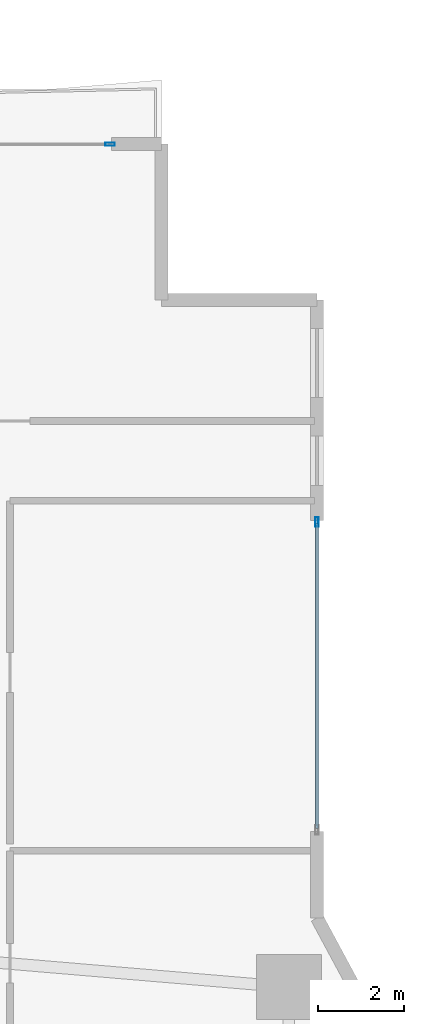
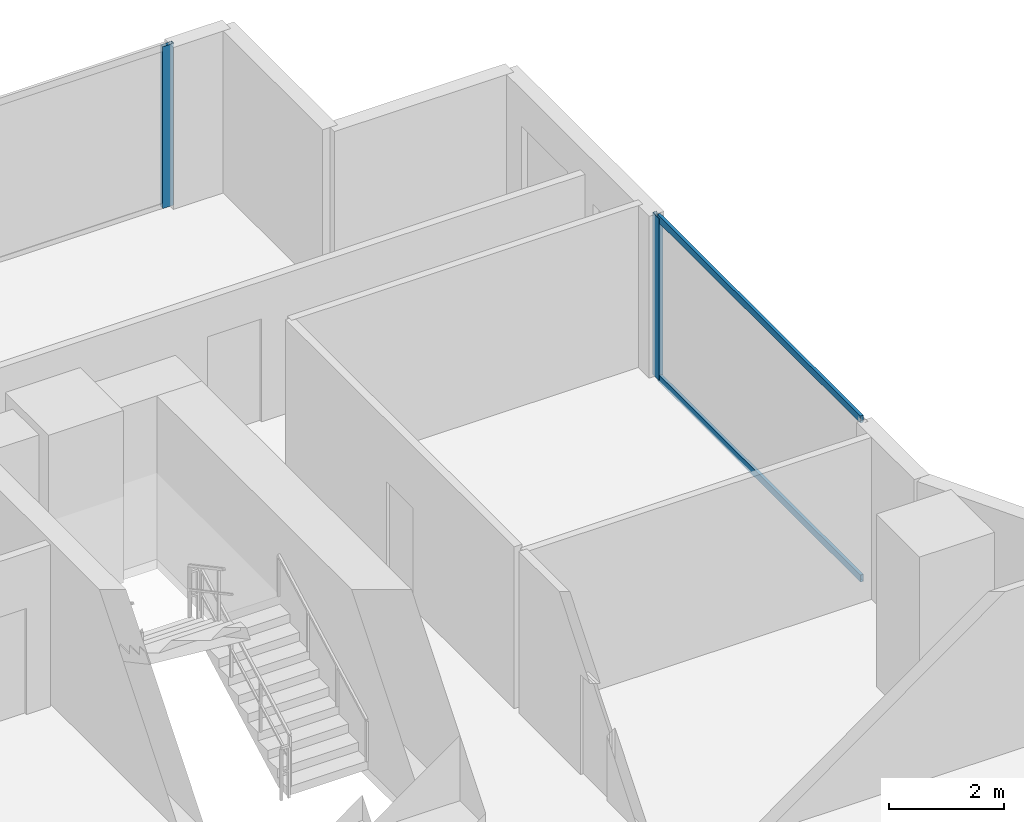
# One storey, part 17 of 28: 4 members, 2 elements without a shape of their own.
"""IFC4 building model written with IfcOpenShell, lengths in metres."""

from ifc_helpers import new_model, si_unit, direction, frame, origin, origin_2d, place, context, subcontext, project, spatial, hollow_rectangle, extrude, material, layer, layer_set, material_profile, profile_set, type_object, element, aggregate, save


model = new_model("IFC4")

# Units and contexts
model_context = context("Model", 3, precision=1e-05, world=origin(), true_north=direction((0.0, 1.0)))
body_context = subcontext(model_context, "Body", "Model", "MODEL_VIEW")
ifc_project = project(units=[si_unit("LENGTHUNIT", "METRE"), si_unit("AREAUNIT", "SQUARE_METRE"), si_unit("VOLUMEUNIT", "CUBIC_METRE"), si_unit("PLANEANGLEUNIT", "RADIAN"), si_unit("MASSUNIT", "GRAM", prefix="KILO")], contexts=[model_context])

# Site, building, storey
site_placement = place(None, origin())
site = spatial("IfcSite", under=ifc_project, at=site_placement, CompositionType="ELEMENT")
building_placement = place(site_placement, origin())
building = spatial("IfcBuilding", under=site, at=building_placement, Name="Zuhayl Quay Hotel", CompositionType="ELEMENT")
storey_placement = place(building_placement, frame((0.0, 0.0, 78.699951171875)))
storey = spatial("IfcBuildingStorey", under=building, at=storey_placement, Name="L19", CompositionType="ELEMENT", Elevation=78.699951171875)

# Curtain wall, member
ifc_material_1 = material(Name="Anodised Aluminium 6063-T6", Category="aluminium")
ifc_layer = layer(ifc_material_1, 0.18994140625, Name="Anodised Aluminium 6063-T6", Category="aluminium")
ifc_layer_set = layer_set([ifc_layer], Name="Anodised Aluminium 6063-T6")
curtain_wall_type = type_object("IfcCurtainWallType", Name="CW_SYS_Z1", PredefinedType="USERDEFINED", material=ifc_layer_set)
curtain_wall_1_placement = place(storey_placement, origin())
curtain_wall_1 = element("IfcCurtainWall", 1, at=curtain_wall_1_placement, inside=storey, type_object=curtain_wall_type, Name="L19 Curtain Wall ENV_L19_N_CW4", ObjectType="UNITISED CURTAIN WALL", PredefinedType="USERDEFINED")
ifc_material_2 = material(Name="Black-anodised aluminium 6063-T6", Category="aluminium")
ifc_material_profile_1 = material_profile(ifc_material_2, hollow_rectangle(XDim=0.074951171875, YDim=0.219970703125, WallThickness=0.00390625, at=origin_2d()), Name="ALU220X75")
ifc_profile_set_1 = profile_set([ifc_material_profile_1], Name="Black-anodised aluminium 6063-T6")
member_type_1 = type_object("IfcMemberType", Name="MB_CW_MUL_220", PredefinedType="MULLION", material=ifc_profile_set_1)
member_1_placement = place(storey_placement, frame((20.91259765625, 23.10009765625, 0.0), z_axis=(0.0, 0.0, 1.0), x_axis=(0.0, 1.0, 0.0)))
member_1 = element("IfcMember", 2, at=member_1_placement, type_object=member_type_1, Name="CW-Z1 mullion 2", PredefinedType="MULLION", context=body_context, shape_type="SweptSolid", body=[
    extrude(hollow_rectangle(XDim=0.074951171875, YDim=0.219970703125, WallThickness=0.00390625, at=origin_2d()), origin(), (0.0, 0.0, 1.0), 3.429931640625),
])
aggregate(curtain_wall_1, [member_1])

# Curtain wall, members
curtain_wall_2_placement = place(storey_placement, origin())
curtain_wall_2 = element("IfcCurtainWall", 3, at=curtain_wall_2_placement, inside=storey, type_object=curtain_wall_type, Name="L19 Curtain Wall ENV_L19_E11_CW1", ObjectType="UNITISED CURTAIN WALL", PredefinedType="USERDEFINED")
member_2_placement = place(storey_placement, frame((25.699951171875, 14.362548828125, 0.0), z_axis=(0.0, 0.0, 1.0), x_axis=(1.0, 0.0, 0.0)))
member_2 = element("IfcMember", 4, at=member_2_placement, type_object=member_type_1, Name="CW-Z1 mullion 1", PredefinedType="MULLION", context=body_context, shape_type="SweptSolid", body=[
    extrude(hollow_rectangle(XDim=0.074951171875, YDim=0.219970703125, WallThickness=0.00390625, at=origin_2d()), origin(), (0.0, 0.0, 1.0), 3.429931640625),
])
ifc_material_profile_2 = material_profile(ifc_material_2, hollow_rectangle(XDim=0.06005859375, YDim=0.14990234375, WallThickness=0.00341796875, at=origin_2d()), Name="ALU150X60")
ifc_profile_set_2 = profile_set([ifc_material_profile_2], Name="Black-anodised aluminium 6063-T6")
member_type_2 = type_object("IfcMemberType", Name="MB_CW_TRN_150", PredefinedType="USERDEFINED", material=ifc_profile_set_2)
member_3_placement = place(storey_placement, frame((25.699951171875, 14.324951171875, 0.030029296875), z_axis=(0.0, -1.0, 0.0), x_axis=(1.0, 0.0, 0.0)))
member_3 = element("IfcMember", 5, at=member_3_placement, type_object=member_type_2, Name="CW-Z1 transom 1.1", ObjectType="TRANSOM", PredefinedType="USERDEFINED", context=body_context, shape_type="SweptSolid", body=[
    extrude(hollow_rectangle(XDim=0.06005859375, YDim=0.14990234375, WallThickness=0.00341796875, at=origin_2d()), origin(), (0.0, 0.0, 1.0), 7.050048828125),
])
member_4_placement = place(storey_placement, frame((25.699951171875, 14.324951171875, 3.400146484375), z_axis=(0.0, -1.0, 0.0), x_axis=(1.0, 0.0, 0.0)))
member_4 = element("IfcMember", 6, at=member_4_placement, type_object=member_type_2, Name="CW-Z1 transom 1.2", ObjectType="TRANSOM", PredefinedType="USERDEFINED", context=body_context, shape_type="SweptSolid", body=[
    extrude(hollow_rectangle(XDim=0.06005859375, YDim=0.14990234375, WallThickness=0.00341796875, at=origin_2d()), origin(), (0.0, 0.0, 1.0), 7.050048828125),
])
aggregate(curtain_wall_2, [member_2, member_3, member_4])

save(model, "model.ifc")
